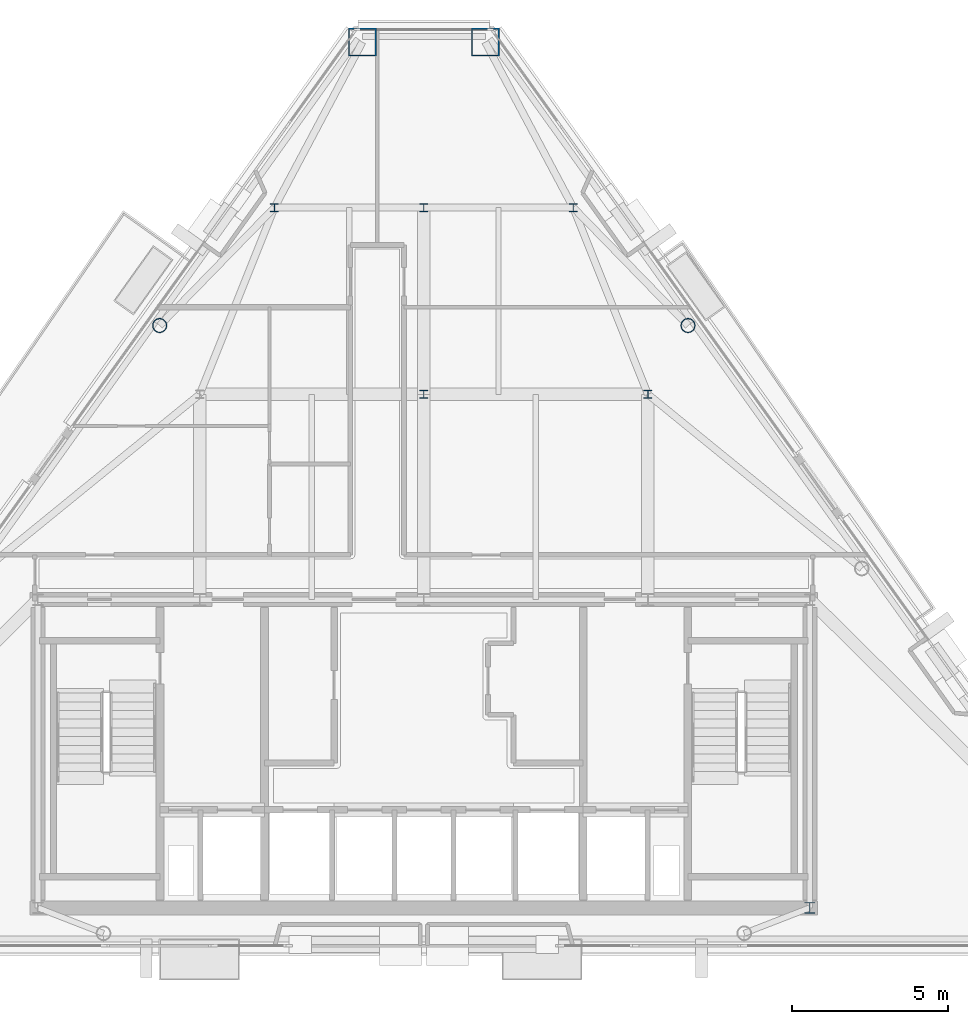
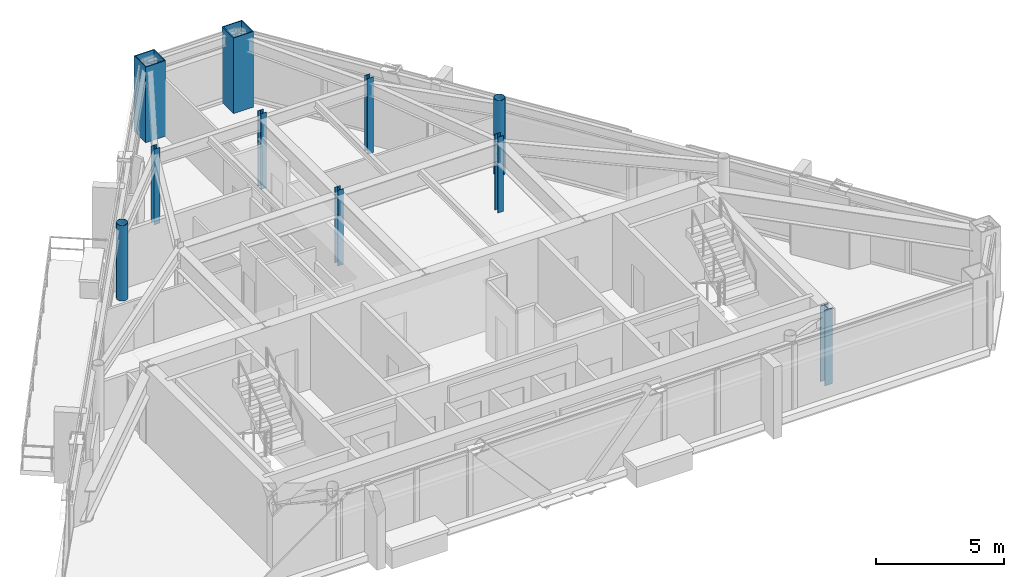
# One storey, part 2 of 12: 10 columns.
"""IFC4 building model written with IfcOpenShell, lengths in metres."""

from ifc_helpers import new_model, si_unit, direction, frame, origin, origin_2d, place, context, subcontext, project, spatial, hollow_rectangle, hollow_circle, i_section, extrude, material, material_profile, profile_set, type_object, element, save


model = new_model("IFC4")

# Units and contexts
model_context = context("Model", 3, precision=1e-05, world=origin(), true_north=direction((0.0, 1.0)))
body_context = subcontext(model_context, "Body", "Model", "MODEL_VIEW")
ifc_project = project(units=[si_unit("LENGTHUNIT", "METRE"), si_unit("AREAUNIT", "SQUARE_METRE"), si_unit("VOLUMEUNIT", "CUBIC_METRE"), si_unit("PLANEANGLEUNIT", "RADIAN"), si_unit("MASSUNIT", "GRAM", prefix="KILO")], contexts=[model_context])

# Site, building, storey
site_placement = place(None, origin())
site = spatial("IfcSite", under=ifc_project, at=site_placement, CompositionType="ELEMENT")
building_placement = place(site_placement, origin())
building = spatial("IfcBuilding", under=site, at=building_placement, Name="Talgorran Terracotta Tower", CompositionType="ELEMENT")
storey_placement = place(building_placement, frame((0.0, 0.0, 263.39990234375)))
storey = spatial("IfcBuildingStorey", under=building, at=storey_placement, Name="L69", CompositionType="ELEMENT", Elevation=263.39990234375)

# Columns
ifc_material_1 = material(Name="Steel S355 (300PLUS)", Category="steel")
ifc_material_profile_1 = material_profile(ifc_material_1, i_section(OverallWidth=0.256103515625, OverallDepth=0.260009765625, WebThickness=0.010498046875, FlangeThickness=0.017333984375, at=origin_2d()), Name="250UC89.5")
ifc_profile_set_1 = profile_set([ifc_material_profile_1], Name="Steel S355 (300PLUS)")
column_type_1 = type_object("IfcColumnType", Name="COL_250UC89", PredefinedType="COLUMN", material=ifc_profile_set_1)
for number, where, z_axis, x_axis, name in (
    (1, (0.0, 2.39990234375, 0.0), (0.0, 0.0, 1.0), (1.0, 0.0, 0.0), "L69 Interior Gravity Column IC2"),
    (2, (7.199951171875, 2.39990234375, 0.0), (0.0, 0.0, 1.0), (1.0, 0.0, 0.0), "L69 Interior Gravity Column IC3"),
    (3, (-4.800048828125, 8.39990234375, 0.0), (0.0, 0.0, 1.0), (1.0, 0.0, 0.0), "L69 Interior Gravity Column IC4"),
    (4, (0.0, 8.39990234375, 0.0), (0.0, 0.0, 1.0), (1.0, 0.0, 0.0), "L69 Interior Gravity Column IC5"),
    (5, (4.800048828125, 8.39990234375, 0.0), (0.0, 0.0, 1.0), (1.0, 0.0, 0.0), "L69 Interior Gravity Column IC6"),
):
    element("IfcColumn", number, at=place(storey_placement, frame(where, z_axis=z_axis, x_axis=x_axis)), inside=storey, type_object=column_type_1, Name=name, PredefinedType="COLUMN", context=body_context, shape_type="SweptSolid", body=[
        extrude(i_section(OverallWidth=0.256103515625, OverallDepth=0.260009765625, WebThickness=0.010498046875, FlangeThickness=0.017333984375, at=origin_2d()), origin(), (0.0, 0.0, 1.0), 3.60009765625),
    ])
ifc_material_profile_2 = material_profile(ifc_material_1, i_section(OverallWidth=0.35205078125, OverallDepth=0.35888671875, WebThickness=0.01806640625, FlangeThickness=0.02587890625, at=origin_2d()), Name="350WC197")
ifc_profile_set_2 = profile_set([ifc_material_profile_2], Name="Steel S355 (300PLUS)")
column_type_2 = type_object("IfcColumnType", Name="COL_350WC197", PredefinedType="COLUMN", material=ifc_profile_set_2)
column_placement = place(storey_placement, frame((12.39990234375, -14.10009765625, 0.0), z_axis=(0.0, 0.0, 1.0), x_axis=(1.0, 0.0, 0.0)))
element("IfcColumn", 6, at=column_placement, inside=storey, type_object=column_type_2, Name="L69 Core Boundary Column CC2", PredefinedType="COLUMN", context=body_context, shape_type="SweptSolid", body=[
    extrude(i_section(OverallWidth=0.35205078125, OverallDepth=0.35888671875, WebThickness=0.01806640625, FlangeThickness=0.02587890625, at=origin_2d()), origin(), (0.0, 0.0, 1.0), 3.60009765625),
])
ifc_material_2 = material(Name="Steel Grade 350 (350L0)", Category="steel")
ifc_material_profile_3 = material_profile(ifc_material_2, hollow_rectangle(XDim=0.89990234375, YDim=0.89990234375, WallThickness=0.0400390625, at=origin_2d()), Name="CFT900X900X40")
ifc_profile_set_3 = profile_set([ifc_material_profile_3], Name="Steel Grade 350 (350L0)")
column_type_3 = type_object("IfcColumnType", Name="COL_CFT_900", PredefinedType="COLUMN", material=ifc_profile_set_3)
for number, where, z_axis, x_axis, name in (
    (7, (1.97509765625, 13.716796875, 0.0), (0.0, 0.0, 1.0), (1.0, 0.0, 0.0), "L69 Corner CFT Mega-Column MC5"),
    (8, (-1.97509765625, 13.716796875, 0.0), (0.0, 0.0, 1.0), (1.0, 0.0, 0.0), "L69 Corner CFT Mega-Column MC6"),
):
    element("IfcColumn", number, at=place(storey_placement, frame(where, z_axis=z_axis, x_axis=x_axis)), inside=storey, type_object=column_type_3, Name=name, PredefinedType="COLUMN", context=body_context, shape_type="SweptSolid", body=[
        extrude(hollow_rectangle(XDim=0.89990234375, YDim=0.89990234375, WallThickness=0.0400390625, at=origin_2d()), origin(), (0.0, 0.0, 1.0), 3.60009765625),
    ])
ifc_material_3 = material(Name="Steel S350 (C350L0)", Category="steel")
ifc_material_profile_4 = material_profile(ifc_material_3, hollow_circle(Radius=0.228515625, WallThickness=0.01611328125, at=origin_2d()), Name="CHS457X16")
ifc_profile_set_4 = profile_set([ifc_material_profile_4], Name="Steel S350 (C350L0)")
column_type_4 = type_object("IfcColumnType", Name="COL_CHS_457", PredefinedType="COLUMN", material=ifc_profile_set_4)
for number, where, z_axis, x_axis, name in (
    (9, (8.488525390625, 4.609619140625, 0.0), (0.0, 0.0, 1.0), (1.0, 0.0, 0.0), "L69 Facet Perimeter Column FC4"),
    (10, (-8.488525390625, 4.609619140625, 0.0), (0.0, 0.0, 1.0), (1.0, 0.0, 0.0), "L69 Facet Perimeter Column FC5"),
):
    element("IfcColumn", number, at=place(storey_placement, frame(where, z_axis=z_axis, x_axis=x_axis)), inside=storey, type_object=column_type_4, Name=name, PredefinedType="COLUMN", context=body_context, shape_type="SweptSolid", body=[
        extrude(hollow_circle(Radius=0.228515625, WallThickness=0.01611328125, at=origin_2d()), origin(), (0.0, 0.0, 1.0), 3.60009765625),
    ])

save(model, "model.ifc")
